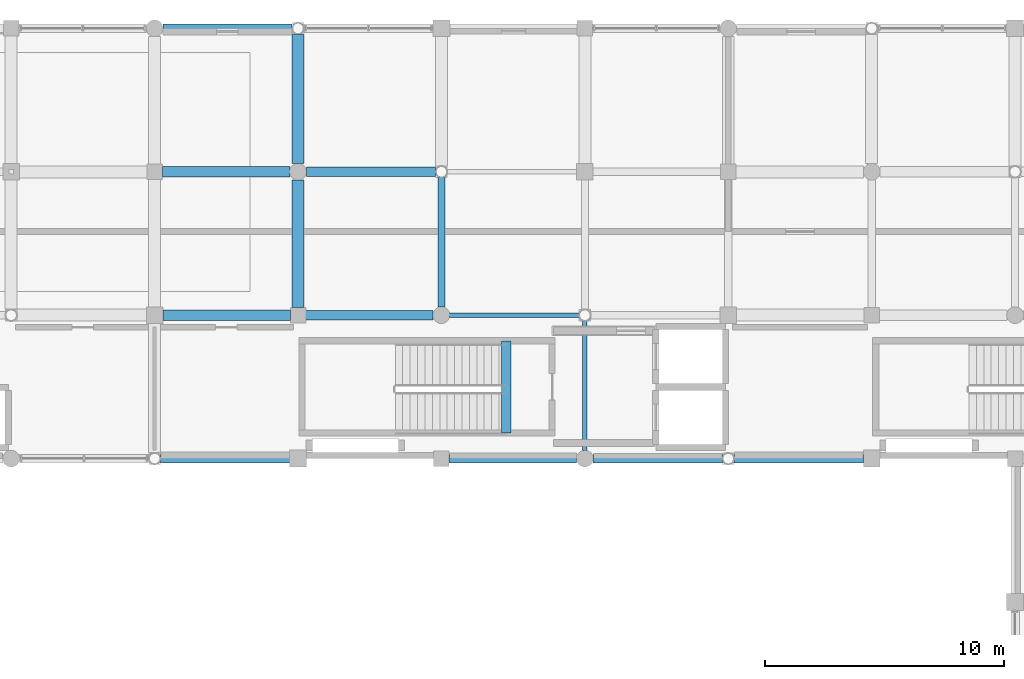
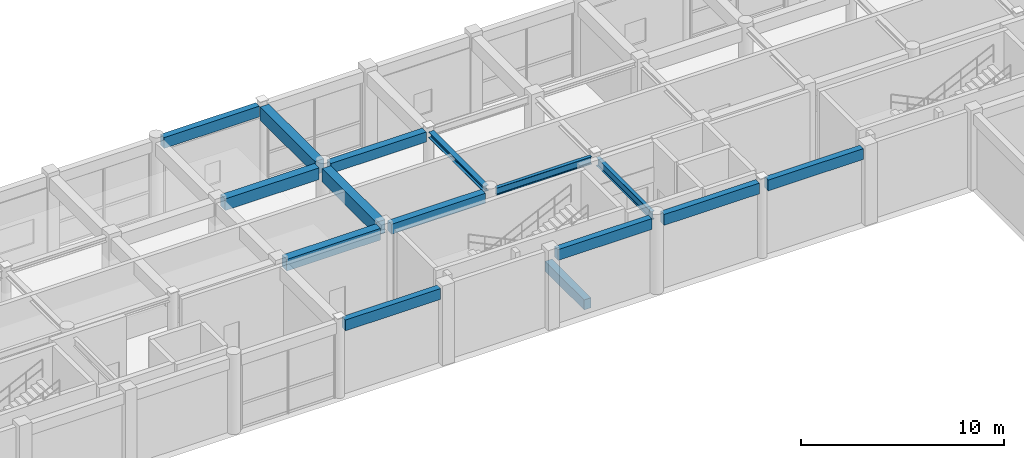
# One storey, part 72 of 112: 15 beams.
"""IFC4 building model written with IfcOpenShell, lengths in metres."""

from ifc_helpers import new_model, si_unit, direction, frame, origin, origin_2d, place, context, subcontext, project, spatial, rectangle, i_section, extrude, material, material_profile, profile_set, type_object, element, save


model = new_model("IFC4")

# Units and contexts
model_context = context("Model", 3, precision=1e-05, world=origin(), true_north=direction((0.0, 1.0)))
body_context = subcontext(model_context, "Body", "Model", "MODEL_VIEW")
ifc_project = project(units=[si_unit("LENGTHUNIT", "METRE"), si_unit("AREAUNIT", "SQUARE_METRE"), si_unit("VOLUMEUNIT", "CUBIC_METRE"), si_unit("PLANEANGLEUNIT", "RADIAN"), si_unit("MASSUNIT", "GRAM", prefix="KILO"), si_unit("THERMODYNAMICTEMPERATUREUNIT", "KELVIN"), si_unit("POWERUNIT", "WATT")], contexts=[model_context])

# Site, building, storey
site_placement = place(None, origin())
site = spatial("IfcSite", under=ifc_project, at=site_placement, CompositionType="ELEMENT")
building_placement = place(site_placement, origin())
building = spatial("IfcBuilding", under=site, at=building_placement, Name="Phaisarnlok Congress Hotel", CompositionType="ELEMENT")
storey_placement = place(building_placement, frame((0.0, 0.0, 19.800048828125)))
storey = spatial("IfcBuildingStorey", under=building, at=storey_placement, Name="L04", CompositionType="ELEMENT", Elevation=19.800048828125)

# Beams
ifc_material_1 = material(Name="Concrete C40/50", Category="concrete")
ifc_material_profile_1 = material_profile(ifc_material_1, rectangle(XDim=0.39990234375, YDim=0.60009765625, at=origin_2d()), Name="RC 400x600")
ifc_profile_set_1 = profile_set([ifc_material_profile_1], Name="Concrete C40/50")
beam_type_1 = type_object("IfcBeamType", Name="BM-RC-400x600", PredefinedType="BEAM", material=ifc_profile_set_1)
beam_1_placement = place(storey_placement, frame((132.320068359375, 114.0, 4.25), z_axis=(1.0, 0.0, 0.0), x_axis=(0.0, 1.0, 0.0)))
element("IfcBeam", 1, at=beam_1_placement, inside=storey, type_object=beam_type_1, Name="Beam B-02", PredefinedType="BEAM", context=body_context, shape_type="SweptSolid", body=[
    extrude(rectangle(XDim=0.39990234375, YDim=0.60009765625, at=origin_2d()), origin(), (0.0, 0.0, 1.0), 5.3349609375),
])
beam_2_placement = place(storey_placement, frame((132.344970703125, 120.0, 4.25), z_axis=(1.0, 0.0, 0.0), x_axis=(0.0, 1.0, 0.0)))
element("IfcBeam", 2, at=beam_2_placement, inside=storey, type_object=beam_type_1, Name="Beam B-02", PredefinedType="BEAM", context=body_context, shape_type="SweptSolid", body=[
    extrude(rectangle(XDim=0.39990234375, YDim=0.60009765625, at=origin_2d()), origin(), (0.0, 0.0, 1.0), 5.406005859375),
])
beam_3_placement = place(storey_placement, frame((140.719970703125, 109.080078125, -0.300048828125), z_axis=(0.0, 1.0, 0.0), x_axis=(-1.0, 0.0, 0.0)))
element("IfcBeam", 3, at=beam_3_placement, inside=storey, type_object=beam_type_1, Name="Stair landing header beam B-02 (CORE-2 L04)", PredefinedType="BEAM", context=body_context, shape_type="SweptSolid", body=[
    extrude(rectangle(XDim=0.39990234375, YDim=0.60009765625, at=origin_2d()), origin(), (0.0, 0.0, 1.0), 3.83984375),
])
ifc_material_profile_2 = material_profile(ifc_material_1, rectangle(XDim=0.449951171875, YDim=0.699951171875, at=origin_2d()), Name="RC 450x700")
ifc_profile_set_2 = profile_set([ifc_material_profile_2], Name="Concrete C40/50")
beam_type_2 = type_object("IfcBeamType", Name="BM-RC-450x700", PredefinedType="BEAM", material=ifc_profile_set_2)
for number, where, z_axis, x_axis, name in (
    (4, (126.344970703125, 114.0, 4.199951171875), (1.0, 0.0, 0.0), (0.0, 1.0, 0.0), "Beam B-03"),
    (5, (126.320068359375, 120.0, 4.199951171875), (1.0, 0.0, 0.0), (0.0, 1.0, 0.0), "Beam B-03"),
):
    element("IfcBeam", number, at=place(storey_placement, frame(where, z_axis=z_axis, x_axis=x_axis)), inside=storey, type_object=beam_type_2, Name=name, PredefinedType="BEAM", context=body_context, shape_type="SweptSolid", body=[
        extrude(rectangle(XDim=0.449951171875, YDim=0.699951171875, at=origin_2d()), origin(), (0.0, 0.0, 1.0), 5.3349609375),
    ])
ifc_material_profile_3 = material_profile(ifc_material_1, rectangle(XDim=0.5, YDim=0.800048828125, at=origin_2d()), Name="RC 500x800")
ifc_profile_set_3 = profile_set([ifc_material_profile_3], Name="Concrete C40/50")
beam_type_3 = type_object("IfcBeamType", Name="BM-RC-500x800", PredefinedType="BEAM", material=ifc_profile_set_3)
beam_4_placement = place(storey_placement, frame((132.0, 114.320068359375, 4.14990234375), z_axis=(0.0, 1.0, 0.0), x_axis=(-1.0, 0.0, 0.0)))
element("IfcBeam", 6, at=beam_4_placement, inside=storey, type_object=beam_type_3, Name="Beam B-04", PredefinedType="BEAM", context=body_context, shape_type="SweptSolid", body=[
    extrude(rectangle(XDim=0.5, YDim=0.800048828125, at=origin_2d()), origin(), (0.0, 0.0, 1.0), 5.3349609375),
])
beam_5_placement = place(storey_placement, frame((132.0, 120.344970703125, 4.14990234375), z_axis=(0.0, 1.0, 0.0), x_axis=(-1.0, 0.0, 0.0)))
element("IfcBeam", 7, at=beam_5_placement, inside=storey, type_object=beam_type_3, Name="Beam B-04", PredefinedType="BEAM", context=body_context, shape_type="SweptSolid", body=[
    extrude(rectangle(XDim=0.5, YDim=0.800048828125, at=origin_2d()), origin(), (0.0, 0.0, 1.0), 5.406005859375),
])
ifc_material_2 = material(Name="Steel S355", Category="steel")
ifc_material_profile_4 = material_profile(ifc_material_2, i_section(OverallWidth=0.300048828125, OverallDepth=0.340087890625, WebThickness=0.011962890625, FlangeThickness=0.021484375, FilletRadius=0.027099609375, at=origin_2d()), Name="HEB 340")
ifc_profile_set_4 = profile_set([ifc_material_profile_4], Name="Steel S355")
beam_type_4 = type_object("IfcBeamType", Name="BM-STL-HEB340", PredefinedType="BEAM", material=ifc_profile_set_4)
beam_6_placement = place(storey_placement, frame((138.0, 114.344970703125, 4.3798828125), z_axis=(0.0, 1.0, 0.0), x_axis=(-1.0, 0.0, 0.0)))
element("IfcBeam", 8, at=beam_6_placement, inside=storey, type_object=beam_type_4, Name="Beam SB-07", PredefinedType="BEAM", context=body_context, shape_type="SweptSolid", body=[
    extrude(i_section(OverallWidth=0.300048828125, OverallDepth=0.340087890625, WebThickness=0.011962890625, FlangeThickness=0.021484375, FilletRadius=0.027099609375, at=origin_2d()), origin(), (0.0, 0.0, 1.0), 5.406005859375),
])
ifc_material_profile_5 = material_profile(ifc_material_2, i_section(OverallWidth=0.18994140625, OverallDepth=0.449951171875, WebThickness=0.009521484375, FlangeThickness=0.0146484375, FilletRadius=0.02099609375, at=origin_2d()), Name="IPE 450")
ifc_profile_set_5 = profile_set([ifc_material_profile_5], Name="Steel S355")
beam_type_5 = type_object("IfcBeamType", Name="BM-STL-IPE450", PredefinedType="BEAM", material=ifc_profile_set_5)
beam_7_placement = place(storey_placement, frame((138.344970703125, 114.0, 4.324951171875), z_axis=(1.0, 0.0, 0.0), x_axis=(0.0, 1.0, 0.0)))
element("IfcBeam", 9, at=beam_7_placement, inside=storey, type_object=beam_type_5, Name="Beam SB-01", PredefinedType="BEAM", context=body_context, shape_type="SweptSolid", body=[
    extrude(i_section(OverallWidth=0.18994140625, OverallDepth=0.449951171875, WebThickness=0.009521484375, FlangeThickness=0.0146484375, FilletRadius=0.02099609375, at=origin_2d()), origin(), (0.0, 0.0, 1.0), 5.406005859375),
])
ifc_material_profile_6 = material_profile(ifc_material_2, i_section(OverallWidth=0.199951171875, OverallDepth=0.5, WebThickness=0.01025390625, FlangeThickness=0.01611328125, FilletRadius=0.02099609375, at=origin_2d()), Name="IPE 500")
ifc_profile_set_6 = profile_set([ifc_material_profile_6], Name="Steel S355")
beam_type_6 = type_object("IfcBeamType", Name="BM-STL-IPE500", PredefinedType="BEAM", material=ifc_profile_set_6)
beam_8_placement = place(storey_placement, frame((144.0, 108.344970703125, 4.300048828125), z_axis=(0.0, 1.0, 0.0), x_axis=(-1.0, 0.0, 0.0)))
element("IfcBeam", 10, at=beam_8_placement, inside=storey, type_object=beam_type_6, Name="Beam SB-02", PredefinedType="BEAM", context=body_context, shape_type="SweptSolid", body=[
    extrude(i_section(OverallWidth=0.199951171875, OverallDepth=0.5, WebThickness=0.01025390625, FlangeThickness=0.01611328125, FilletRadius=0.02099609375, at=origin_2d()), origin(), (0.0, 0.0, 1.0), 5.406005859375),
])
ifc_material_profile_7 = material_profile(ifc_material_1, rectangle(XDim=0.35009765625, YDim=0.64990234375, at=origin_2d()), Name="RC 350x650")
ifc_profile_set_7 = profile_set([ifc_material_profile_7], Name="Concrete C40/50")
beam_type_7 = type_object("IfcBeamType", Name="SP-RC-350x650", PredefinedType="SPANDREL", material=ifc_profile_set_7)
for number, where, z_axis, x_axis, name in (
    (11, (126.2490234375, 108.0, 4.224853515625), (1.0, 0.0, 0.0), (0.0, 1.0, 0.0), "Beam SP-01"),
    (12, (126.344970703125, 126.0, 4.224853515625), (1.0, 0.0, 0.0), (0.0, 1.0, 0.0), "Beam SP-01"),
):
    element("IfcBeam", number, at=place(storey_placement, frame(where, z_axis=z_axis, x_axis=x_axis)), inside=storey, type_object=beam_type_7, Name=name, PredefinedType="SPANDREL", context=body_context, shape_type="SweptSolid", body=[
        extrude(rectangle(XDim=0.35009765625, YDim=0.64990234375, at=origin_2d()), origin(), (0.0, 0.0, 1.0), 5.406005859375),
    ])
beam_9_placement = place(storey_placement, frame((138.320068359375, 108.0, 4.224853515625), z_axis=(1.0, 0.0, 0.0), x_axis=(0.0, 1.0, 0.0)))
element("IfcBeam", 13, at=beam_9_placement, inside=storey, type_object=beam_type_7, Name="Beam SP-01", PredefinedType="SPANDREL", context=body_context, shape_type="SweptSolid", body=[
    extrude(rectangle(XDim=0.35009765625, YDim=0.64990234375, at=origin_2d()), origin(), (0.0, 0.0, 1.0), 5.3349609375),
])
for number, where, z_axis, x_axis, name in (
    (14, (144.344970703125, 108.0, 4.224853515625), (1.0, 0.0, 0.0), (0.0, 1.0, 0.0), "Beam SP-01"),
    (15, (150.2490234375, 108.0, 4.224853515625), (1.0, 0.0, 0.0), (0.0, 1.0, 0.0), "Beam SP-01"),
):
    element("IfcBeam", number, at=place(storey_placement, frame(where, z_axis=z_axis, x_axis=x_axis)), inside=storey, type_object=beam_type_7, Name=name, PredefinedType="SPANDREL", context=body_context, shape_type="SweptSolid", body=[
        extrude(rectangle(XDim=0.35009765625, YDim=0.64990234375, at=origin_2d()), origin(), (0.0, 0.0, 1.0), 5.406005859375),
    ])

save(model, "model.ifc")
